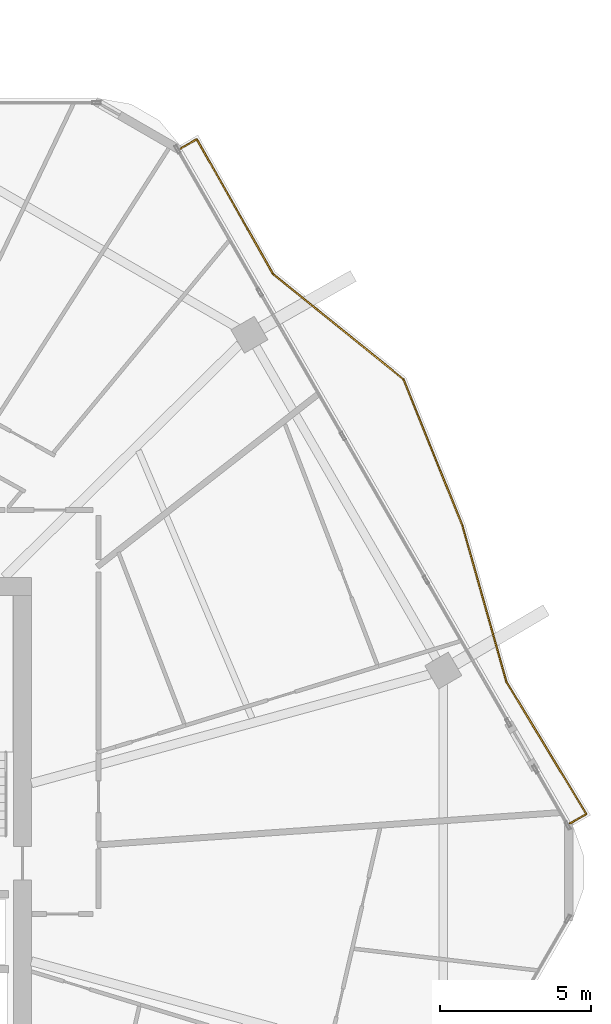
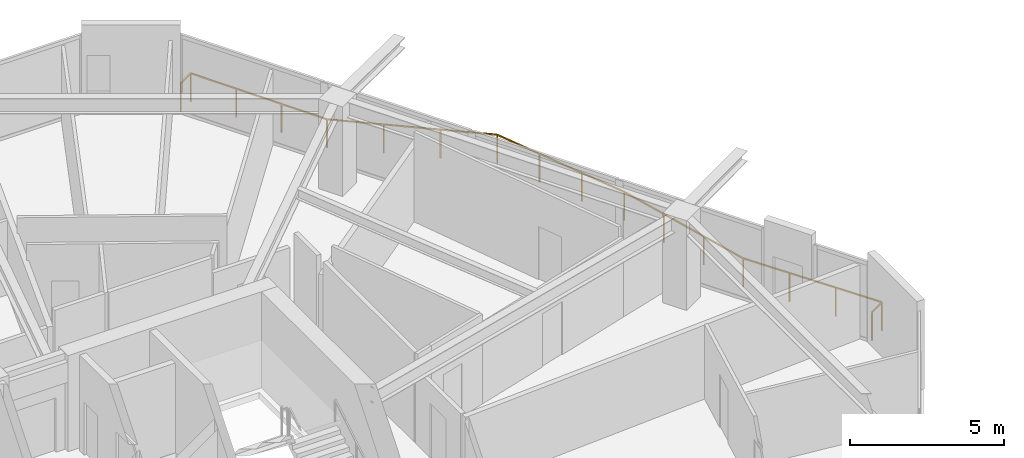
# One storey, part 26 of 26: 1 railing.
"""IFC4 building model written with IfcOpenShell, lengths in metres."""

import ifcopenshell
import ifcopenshell.guid

model = None  # the IFC model being written
_history = None  # IfcOwnerHistory: only IFC2X3 demands one
_inside = {}  # id of a spatial element -> (the spatial element, [elements in it])
_under = {}  # id of a project, library or spatial element -> (it, [spatial elements below it])
_declared = {}  # id of a project -> (the project, [libraries it declares])
_typed = {}  # id of a type object -> (the type object, [elements of that type])
_made_of = {}  # id of a material, layer set ... -> (it, [elements and type objects made of it])


def new_model(schema):
    """Start an empty IFC model of exactly this schema.

    Asked for "IFC4X3", IfcOpenShell would pick the latest addendum, in which some entities
    have other attributes; the version numbers below select the first issue.
    IFC2X3 requires an IfcOwnerHistory on every rooted entity: one is made here for all.
    """
    global model, _history
    if schema == "IFC4X3":
        model = ifcopenshell.file(schema_version=(4, 3, 0, 0))
    else:
        model = ifcopenshell.file(schema=schema)
    _inside.clear()
    _under.clear()
    _declared.clear()
    _typed.clear()
    _made_of.clear()
    _history = None
    if model.schema == "IFC2X3":
        org = make("IfcOrganization", Name="unknown")
        user = make(
            "IfcPersonAndOrganization",
            ThePerson=make("IfcPerson", FamilyName="unknown"),
            TheOrganization=org,
        )
        app = make(
            "IfcApplication",
            ApplicationDeveloper=org,
            Version="unknown",
            ApplicationFullName="unknown",
            ApplicationIdentifier="unknown",
        )
        _history = make(
            "IfcOwnerHistory",
            OwningUser=user,
            OwningApplication=app,
            ChangeAction="ADDED",
            CreationDate=0,
        )
    return model


def make(cls, **values):
    """One entity of the class cls with the attributes given. An attribute that is None is left unset."""
    return model.create_entity(
        cls, **{name: value for name, value in values.items() if value is not None}
    )


def rooted(cls, **values):
    """An entity with a GlobalId (a new one), such as an element, a storey or a relation."""
    return make(cls, GlobalId=ifcopenshell.guid.new(), OwnerHistory=_history, **values)


def si_unit(unit_type, name, prefix=None):
    """IfcSIUnit, for example si_unit("LENGTHUNIT", "METRE", prefix="MILLI")."""
    return make("IfcSIUnit", UnitType=unit_type, Prefix=prefix, Name=name)


def assignment(units):
    """IfcUnitAssignment: the units of a project."""
    return None if units is None else make("IfcUnitAssignment", Units=units)


def point(xyz):
    """IfcCartesianPoint."""
    return None if xyz is None else make("IfcCartesianPoint", Coordinates=xyz)


def direction(xyz):
    """IfcDirection."""
    return None if xyz is None else make("IfcDirection", DirectionRatios=xyz)


def frame(location, z_axis=None, x_axis=None):
    """IfcAxis2Placement3D, a coordinate frame: its origin and axes. An axis left out is left unset."""
    return make(
        "IfcAxis2Placement3D",
        Location=point(location),
        Axis=direction(z_axis),
        RefDirection=direction(x_axis),
    )


def frame_2d(location, x_axis=None):
    """IfcAxis2Placement2D, a coordinate frame in the plane: its origin and x axis."""
    return make(
        "IfcAxis2Placement2D", Location=point(location), RefDirection=direction(x_axis)
    )


def origin():
    """The frame at (0, 0, 0) with its axes left unset."""
    return frame((0.0, 0.0, 0.0))


def origin_2d():
    """The frame at (0, 0) in the plane with its x axis left unset."""
    return frame_2d((0.0, 0.0))


def place(relative_to, where):
    """IfcLocalPlacement: puts the frame where relative to a parent placement (None: the world)."""
    return make(
        "IfcLocalPlacement", PlacementRelTo=relative_to, RelativePlacement=where
    )


def context(
    kind, dimensions, precision=None, world=None, true_north=None, identifier=None
):
    """IfcGeometricRepresentationContext, for example the 3D "Model" context."""
    return make(
        "IfcGeometricRepresentationContext",
        ContextIdentifier=identifier,
        ContextType=kind,
        CoordinateSpaceDimension=dimensions,
        Precision=precision,
        WorldCoordinateSystem=world,
        TrueNorth=true_north,
    )


def subcontext(parent, identifier, kind, view, scale=None):
    """IfcGeometricRepresentationSubContext, for example "Body" below "Model"."""
    return make(
        "IfcGeometricRepresentationSubContext",
        ContextIdentifier=identifier,
        ContextType=kind,
        ParentContext=parent,
        TargetScale=scale,
        TargetView=view,
    )


def project(units=None, contexts=None):
    """IfcProject with its units and contexts."""
    return rooted(
        "IfcProject",
        Name="project",
        RepresentationContexts=contexts,
        UnitsInContext=assignment(units),
    )


def spatial(cls, under=None, at=None, **own):
    """A site, building, storey or space (cls), placed at a placement, below another one or the project."""
    s = rooted(cls, ObjectPlacement=at, **own)
    if under is not None:
        _under.setdefault(under.id(), (under, []))[1].append(s)
    return s


def profile(cls, at=None, kind="AREA", **sizes):
    """A parametric profile (cls). Its sizes go by their IFC names, for example OverallWidth=200.0."""
    return make(cls, ProfileType=kind, Position=at, **sizes)


def rectangle(**sizes):
    """IfcRectangleProfileDef."""
    return profile("IfcRectangleProfileDef", **sizes)


def extrude(swept, where, along, depth):
    """IfcExtrudedAreaSolid: the profile swept, set in the frame where, extruded along a direction by depth."""
    return make(
        "IfcExtrudedAreaSolid",
        SweptArea=swept,
        Position=where,
        ExtrudedDirection=direction(along),
        Depth=depth,
    )


def shape(context_of_items, identifier, shape_type, items):
    """IfcShapeRepresentation: the items that make up one representation, for example the "Body"."""
    return make(
        "IfcShapeRepresentation",
        ContextOfItems=context_of_items,
        RepresentationIdentifier=identifier,
        RepresentationType=shape_type,
        Items=items,
    )


def material(Name=None, Category=None):
    """IfcMaterial."""
    return make("IfcMaterial", Name=Name, Category=Category)


def made_of(thing, what):
    """Note that an element or type object is made of a material, layer set ...; save() writes the relation."""
    if what is not None:
        _made_of.setdefault(what.id(), (what, []))[1].append(thing)
    return thing


def type_object(cls, material=None, **own):
    """A type object (cls), such as IfcWallType, which elements share."""
    return made_of(rooted(cls, **own), material)


def element(
    cls,
    number,
    at=None,
    inside=None,
    cuts=None,
    type_object=None,
    material=None,
    context=None,
    identifier="Body",
    shape_type=None,
    held_by="IfcProductDefinitionShape",
    body=None,
    shapes=None,
    **own,
):
    """One element of the class cls, such as IfcWall. Its Tag is "e" and its number.

    at: its placement. inside: the storey or other place that contains it. cuts: it is an
    opening in that element (IfcRelVoidsElement). A single representation is given by context,
    identifier, shape_type and body (its items); several are given by shapes. held_by: the class
    of the entity that holds the representations. save() writes the other relations.
    """
    e = rooted(cls, Tag="e%d" % number, ObjectPlacement=at, **own)
    if body is not None:
        shapes = [shape(context, identifier, shape_type, body)]
    if shapes is not None:
        e.Representation = make(held_by, Representations=shapes)
    if inside is not None:
        _inside.setdefault(inside.id(), (inside, []))[1].append(e)
    if cuts is not None:
        rooted(
            "IfcRelVoidsElement", RelatingBuildingElement=cuts, RelatedOpeningElement=e
        )
    if type_object is not None:
        _typed.setdefault(type_object.id(), (type_object, []))[1].append(e)
    return made_of(e, material)


def aggregate(whole, parts):
    """IfcRelAggregates: a whole, such as a stair, and the parts it consists of."""
    return rooted("IfcRelAggregates", RelatingObject=whole, RelatedObjects=parts)


def save(model, path):
    """Write the relations noted so far, then the file.

    IfcRelAggregates (storeys below a building ...), IfcRelContainedInSpatialStructure (elements
    in a storey), IfcRelDefinesByType, IfcRelAssociatesMaterial and IfcRelDeclares: one each for
    every whole, place, type object, material and project.
    """
    for whole, parts in _under.values():
        aggregate(whole, parts)
    for where, things in _inside.values():
        rooted(
            "IfcRelContainedInSpatialStructure",
            RelatedElements=things,
            RelatingStructure=where,
        )
    for kind, things in _typed.values():
        rooted("IfcRelDefinesByType", RelatedObjects=things, RelatingType=kind)
    for what, things in _made_of.values():
        rooted("IfcRelAssociatesMaterial", RelatedObjects=things, RelatingMaterial=what)
    for by, libraries in _declared.values():
        rooted("IfcRelDeclares", RelatingContext=by, RelatedDefinitions=libraries)
    model.write(path)


model = new_model("IFC4")

# Units and contexts
model_context = context("Model", 3, precision=1e-05, world=origin(), true_north=direction((0.0, 1.0)))
body_context = subcontext(model_context, "Body", "Model", "MODEL_VIEW")
ifc_project = project(units=[si_unit("LENGTHUNIT", "METRE"), si_unit("AREAUNIT", "SQUARE_METRE"), si_unit("VOLUMEUNIT", "CUBIC_METRE"), si_unit("PLANEANGLEUNIT", "RADIAN"), si_unit("MASSUNIT", "GRAM", prefix="KILO")], contexts=[model_context])

# Site, building, storey
site_placement = place(None, origin())
site = spatial("IfcSite", under=ifc_project, at=site_placement, CompositionType="ELEMENT")
building_placement = place(site_placement, origin())
building = spatial("IfcBuilding", under=site, at=building_placement, Name="Zuhravey Tower", CompositionType="ELEMENT")
storey_placement = place(building_placement, frame((0.0, 0.0, 250.199951171875)))
storey = spatial("IfcBuildingStorey", under=building, at=storey_placement, Name="L63", CompositionType="ELEMENT", Elevation=250.199951171875)

# Railing
ifc_material = material(Name="Stainless steel 316 and laminated glass", Category="steel")
railing_type = type_object("IfcRailingType", Name="Balcony & Terrace Guardrail 1150", PredefinedType="BALUSTRADE", material=ifc_material)
railing_placement = place(storey_placement, frame((51.74169921875, 56.031982421875, 0.0)))
element("IfcRailing", 1, at=railing_placement, inside=storey, type_object=railing_type, Name="L63 Face 1 Wave Balcony Guardrail GR1", PredefinedType="BALUSTRADE", context=body_context, shape_type="SweptSolid", body=[
    extrude(rectangle(XDim=0.048095703125, YDim=0.048095703125, at=origin_2d()), frame((0.001708984375, 0.0009765625, 1.1259765625), z_axis=(0.865905532852, 0.500207565094, 0.0), x_axis=(-0.500207565094, 0.865905532852, 0.0)), (0.0, 0.0, 1.0), 0.635009765625),
    extrude(rectangle(XDim=0.048095703125, YDim=0.048095703125, at=origin_2d()), frame((0.55419921875, 0.31787109375, 1.1259765625), z_axis=(0.492550662798, -0.870283772443, 0.0), x_axis=(0.870283772443, 0.492550662798, 0.0)), (0.0, 0.0, 1.0), 5.131103515625),
    extrude(rectangle(XDim=0.048095703125, YDim=0.048095703125, at=origin_2d()), frame((3.083984375, -4.150634765625, 1.1259765625), z_axis=(0.777503523869, -0.628878581581, 0.0), x_axis=(0.628878581581, 0.777503523869, 0.0)), (0.0, 0.0, 1.0), 5.577880859375),
    extrude(rectangle(XDim=0.048095703125, YDim=0.048095703125, at=origin_2d()), frame((7.423095703125, -7.66162109375, 1.1259765625), z_axis=(0.37321421731, -0.927745195621, 0.0), x_axis=(0.927745195621, 0.37321421731, 0.0)), (0.0, 0.0, 1.0), 5.23388671875),
    extrude(rectangle(XDim=0.048095703125, YDim=0.048095703125, at=origin_2d()), frame((9.377685546875, -12.52099609375, 1.1259765625), z_axis=(0.271531165515, -0.962429647379, 0.0), x_axis=(0.962429647379, 0.271531165515, 0.0)), (0.0, 0.0, 1.0), 5.38623046875),
    extrude(rectangle(XDim=0.048095703125, YDim=0.048095703125, at=origin_2d()), frame((10.841796875, -17.70849609375, 1.1259765625), z_axis=(0.517258021044, -0.855829503853, 0.0), x_axis=(0.855829503853, 0.517258021044, 0.0)), (0.0, 0.0, 1.0), 5.125),
    extrude(rectangle(XDim=0.048095703125, YDim=0.048095703125, at=origin_2d()), frame((13.4921875, -22.097412109375, 1.1259765625), z_axis=(-0.866115488442, -0.499843936326, 0.0), x_axis=(0.499843936326, -0.866115488442, 0.0)), (0.0, 0.0, 1.0), 0.6337890625),
    extrude(rectangle(XDim=0.0419921875, YDim=0.0419921875, at=origin_2d()), origin(), (0.0, 0.0, 1.0), 1.099853515625),
    extrude(rectangle(XDim=0.0419921875, YDim=0.0419921875, at=origin_2d()), frame((0.55322265625, 0.319580078125, 0.0)), (0.0, 0.0, 1.0), 1.099853515625),
    extrude(rectangle(XDim=0.0419921875, YDim=0.0419921875, at=origin_2d()), frame((1.396240234375, -1.170166015625, 0.0)), (0.0, 0.0, 1.0), 1.099853515625),
    extrude(rectangle(XDim=0.0419921875, YDim=0.0419921875, at=origin_2d()), frame((2.239501953125, -2.65966796875, 0.0)), (0.0, 0.0, 1.0), 1.099853515625),
    extrude(rectangle(XDim=0.0419921875, YDim=0.0419921875, at=origin_2d()), frame((3.08251953125, -4.1494140625, 0.0)), (0.0, 0.0, 1.0), 1.099853515625),
    extrude(rectangle(XDim=0.0419921875, YDim=0.0419921875, at=origin_2d()), frame((4.529052734375, -5.319580078125, 0.0)), (0.0, 0.0, 1.0), 1.099853515625),
    extrude(rectangle(XDim=0.0419921875, YDim=0.0419921875, at=origin_2d()), frame((5.975830078125, -6.489501953125, 0.0)), (0.0, 0.0, 1.0), 1.099853515625),
    extrude(rectangle(XDim=0.0419921875, YDim=0.0419921875, at=origin_2d()), frame((7.42236328125, -7.65966796875, 0.0)), (0.0, 0.0, 1.0), 1.099853515625),
    extrude(rectangle(XDim=0.0419921875, YDim=0.0419921875, at=origin_2d()), frame((8.073974609375, -9.279541015625, 0.0)), (0.0, 0.0, 1.0), 1.099853515625),
    extrude(rectangle(XDim=0.0419921875, YDim=0.0419921875, at=origin_2d()), frame((8.7255859375, -10.899169921875, 0.0)), (0.0, 0.0, 1.0), 1.099853515625),
    extrude(rectangle(XDim=0.0419921875, YDim=0.0419921875, at=origin_2d()), frame((9.377197265625, -12.51904296875, 0.0)), (0.0, 0.0, 1.0), 1.099853515625),
    extrude(rectangle(XDim=0.0419921875, YDim=0.0419921875, at=origin_2d()), frame((9.864990234375, -14.248291015625, 0.0)), (0.0, 0.0, 1.0), 1.099853515625),
    extrude(rectangle(XDim=0.0419921875, YDim=0.0419921875, at=origin_2d()), frame((10.35302734375, -15.9775390625, 0.0)), (0.0, 0.0, 1.0), 1.099853515625),
    extrude(rectangle(XDim=0.0419921875, YDim=0.0419921875, at=origin_2d()), frame((10.8408203125, -17.706787109375, 0.0)), (0.0, 0.0, 1.0), 1.099853515625),
    extrude(rectangle(XDim=0.0419921875, YDim=0.0419921875, at=origin_2d()), frame((11.72509765625, -19.169921875, 0.0)), (0.0, 0.0, 1.0), 1.099853515625),
    extrude(rectangle(XDim=0.0419921875, YDim=0.0419921875, at=origin_2d()), frame((12.609619140625, -20.63330078125, 0.0)), (0.0, 0.0, 1.0), 1.099853515625),
    extrude(rectangle(XDim=0.0419921875, YDim=0.0419921875, at=origin_2d()), frame((13.493896484375, -22.096435546875, 0.0)), (0.0, 0.0, 1.0), 1.099853515625),
    extrude(rectangle(XDim=0.0419921875, YDim=0.0419921875, at=origin_2d()), frame((12.94140625, -22.415283203125, 0.0)), (0.0, 0.0, 1.0), 1.099853515625),
])

save(model, "model.ifc")
